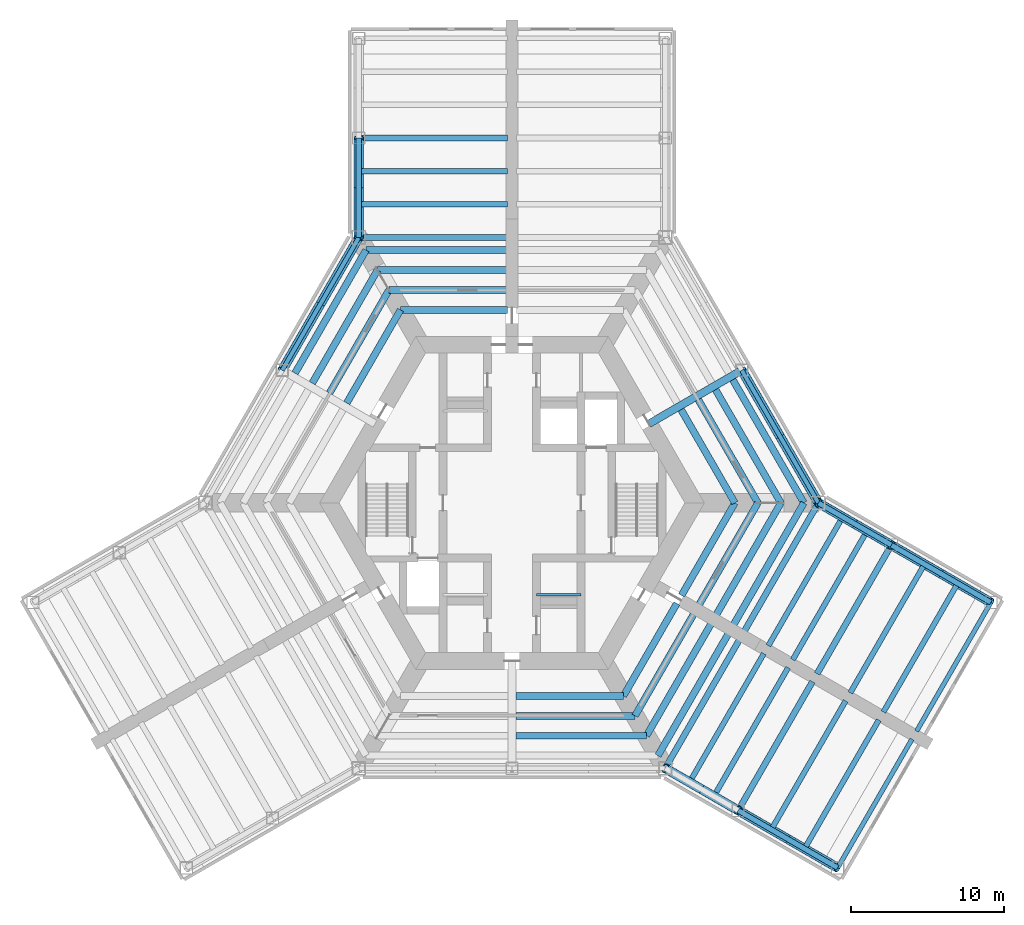
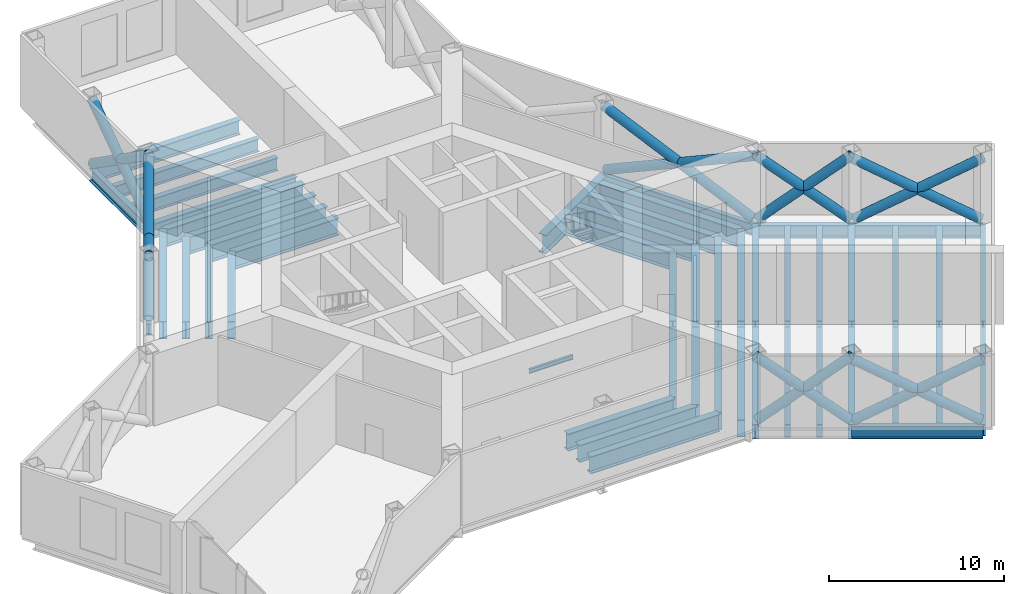
# One storey, part 2 of 8: 49 beams, 14 members.
"""IFC4 building model written with IfcOpenShell, lengths in metres."""

from ifc_helpers import new_model, si_unit, direction, frame, origin, origin_2d, place, context, subcontext, project, spatial, hollow_circle, i_section, extrude, material, material_profile, profile_set, type_object, element, save


model = new_model("IFC4")

# Units and contexts
model_context = context("Model", 3, precision=1e-05, world=origin(), true_north=direction((0.0, 1.0)))
body_context = subcontext(model_context, "Body", "Model", "MODEL_VIEW")
ifc_project = project(units=[si_unit("LENGTHUNIT", "METRE"), si_unit("AREAUNIT", "SQUARE_METRE"), si_unit("VOLUMEUNIT", "CUBIC_METRE"), si_unit("PLANEANGLEUNIT", "RADIAN"), si_unit("MASSUNIT", "GRAM", prefix="KILO")], contexts=[model_context])

# Site, building, storey
site_placement = place(None, origin())
site = spatial("IfcSite", under=ifc_project, at=site_placement, CompositionType="ELEMENT")
building_placement = place(site_placement, origin())
building = spatial("IfcBuilding", under=site, at=building_placement, Name="Kasaneha Research Tower", CompositionType="ELEMENT")
storey_placement = place(building_placement, frame((0.0, 0.0, 123.60009765625)))
storey = spatial("IfcBuildingStorey", under=building, at=storey_placement, Name="L31", CompositionType="ELEMENT", Elevation=123.60009765625)

# Beams
ifc_material_1 = material(Name="Steel SN490B", Category="steel")
ifc_material_profile_1 = material_profile(ifc_material_1, i_section(OverallWidth=0.449951171875, OverallDepth=1.199951171875, WebThickness=0.02197265625, FlangeThickness=0.0400390625, at=origin_2d()), Name="BH-1200x450x22x40")
ifc_profile_set_1 = profile_set([ifc_material_profile_1], Name="Steel SN490B")
beam_type_1 = type_object("IfcBeamType", Name="B1-5 secondary beam BH-1200x450x22x40", PredefinedType="JOIST", material=ifc_profile_set_1)
beam_1_placement = place(storey_placement, frame((14.54931640625, 0.0, -0.85009765625), z_axis=(-0.500015274395, 0.866016584929, 0.0), x_axis=(-0.866016584929, -0.500015274395, 0.0)))
element("IfcBeam", 1, at=beam_1_placement, inside=storey, type_object=beam_type_1, Name="Secondary beam RS030L1 L31", PredefinedType="JOIST", context=body_context, shape_type="SweptSolid", body=[
    extrude(i_section(OverallWidth=0.449951171875, OverallDepth=1.199951171875, WebThickness=0.02197265625, FlangeThickness=0.0400390625, at=origin_2d()), origin(), (0.0, 0.0, 1.0), 7.024658203125),
])
beam_2_placement = place(storey_placement, frame((16.05029296875, 0.0, -0.85009765625), z_axis=(-0.499992453835, 0.866029760521, 0.0), x_axis=(-0.866029760521, -0.499992453835, 0.0)))
element("IfcBeam", 2, at=beam_2_placement, inside=storey, type_object=beam_type_1, Name="Secondary beam RS030L2 L31", PredefinedType="JOIST", context=body_context, shape_type="SweptSolid", body=[
    extrude(i_section(OverallWidth=0.449951171875, OverallDepth=1.199951171875, WebThickness=0.02197265625, FlangeThickness=0.0400390625, at=origin_2d()), origin(), (0.0, 0.0, 1.0), 7.77490234375),
])
beam_3_placement = place(storey_placement, frame((17.551513671875, 0.0, -0.85009765625), z_axis=(-0.500004205306, 0.866022975836, 0.0), x_axis=(-0.866022975836, -0.500004205306, 0.0)))
element("IfcBeam", 3, at=beam_3_placement, inside=storey, type_object=beam_type_1, Name="Secondary beam RS030L3 L31", PredefinedType="JOIST", context=body_context, shape_type="SweptSolid", body=[
    extrude(i_section(OverallWidth=0.449951171875, OverallDepth=1.199951171875, WebThickness=0.02197265625, FlangeThickness=0.0400390625, at=origin_2d()), origin(), (0.0, 0.0, 1.0), 8.52587890625),
])
beam_4_placement = place(storey_placement, frame((19.052490234375, 0.0, -0.85009765625), z_axis=(-0.500005712346, 0.866022105735, 0.0), x_axis=(-0.866022105735, -0.500005712346, 0.0)))
element("IfcBeam", 4, at=beam_4_placement, inside=storey, type_object=beam_type_1, Name="Secondary beam RS030L4 L31", PredefinedType="JOIST", context=body_context, shape_type="SweptSolid", body=[
    extrude(i_section(OverallWidth=0.449951171875, OverallDepth=1.199951171875, WebThickness=0.02197265625, FlangeThickness=0.0400390625, at=origin_2d()), origin(), (0.0, 0.0, 1.0), 9.2763671875),
])
beam_5_placement = place(storey_placement, frame((-7.274658203125, 12.60009765625, -0.85009765625), z_axis=(1.0, 0.0, 0.0), x_axis=(0.0, 1.0, 0.0)))
element("IfcBeam", 5, at=beam_5_placement, inside=storey, type_object=beam_type_1, Name="Secondary beam RS090R1 L31", PredefinedType="JOIST", context=body_context, shape_type="SweptSolid", body=[
    extrude(i_section(OverallWidth=0.449951171875, OverallDepth=1.199951171875, WebThickness=0.02197265625, FlangeThickness=0.0400390625, at=origin_2d()), origin(), (0.0, 0.0, 1.0), 6.974609375),
])
beam_6_placement = place(storey_placement, frame((-8.025146484375, 13.89990234375, -0.85009765625), z_axis=(1.0, 0.0, 0.0), x_axis=(0.0, 1.0, 0.0)))
element("IfcBeam", 6, at=beam_6_placement, inside=storey, type_object=beam_type_1, Name="Secondary beam RS090R2 L31", PredefinedType="JOIST", context=body_context, shape_type="SweptSolid", body=[
    extrude(i_section(OverallWidth=0.449951171875, OverallDepth=1.199951171875, WebThickness=0.02197265625, FlangeThickness=0.0400390625, at=origin_2d()), origin(), (0.0, 0.0, 1.0), 7.72509765625),
])
beam_7_placement = place(storey_placement, frame((-8.775634765625, 15.199951171875, -0.85009765625), z_axis=(1.0, 0.0, 0.0), x_axis=(0.0, 1.0, 0.0)))
element("IfcBeam", 7, at=beam_7_placement, inside=storey, type_object=beam_type_1, Name="Secondary beam RS090R3 L31", PredefinedType="JOIST", context=body_context, shape_type="SweptSolid", body=[
    extrude(i_section(OverallWidth=0.449951171875, OverallDepth=1.199951171875, WebThickness=0.02197265625, FlangeThickness=0.0400390625, at=origin_2d()), origin(), (0.0, 0.0, 1.0), 8.4755859375),
])
beam_8_placement = place(storey_placement, frame((-9.5263671875, 16.5, -0.85009765625), z_axis=(1.0, 0.0, 0.0), x_axis=(0.0, 1.0, 0.0)))
element("IfcBeam", 8, at=beam_8_placement, inside=storey, type_object=beam_type_1, Name="Secondary beam RS090R4 L31", PredefinedType="JOIST", context=body_context, shape_type="SweptSolid", body=[
    extrude(i_section(OverallWidth=0.449951171875, OverallDepth=1.199951171875, WebThickness=0.02197265625, FlangeThickness=0.0400390625, at=origin_2d()), origin(), (0.0, 0.0, 1.0), 9.226318359375),
])
beam_9_placement = place(storey_placement, frame((-7.274658203125, 12.60009765625, -0.85009765625), z_axis=(-0.499989208252, -0.866031634313, 0.0), x_axis=(0.866031634313, -0.499989208252, 0.0)))
element("IfcBeam", 9, at=beam_9_placement, inside=storey, type_object=beam_type_1, Name="Secondary beam RS150L1 L31", PredefinedType="JOIST", context=body_context, shape_type="SweptSolid", body=[
    extrude(i_section(OverallWidth=0.449951171875, OverallDepth=1.199951171875, WebThickness=0.02197265625, FlangeThickness=0.0400390625, at=origin_2d()), origin(), (0.0, 0.0, 1.0), 7.024658203125),
])
beam_10_placement = place(storey_placement, frame((-8.025146484375, 13.89990234375, -0.85009765625), z_axis=(-0.500016004, -0.866016163673, 0.0), x_axis=(0.866016163673, -0.500016004, 0.0)))
element("IfcBeam", 10, at=beam_10_placement, inside=storey, type_object=beam_type_1, Name="Secondary beam RS150L2 L31", PredefinedType="JOIST", context=body_context, shape_type="SweptSolid", body=[
    extrude(i_section(OverallWidth=0.449951171875, OverallDepth=1.199951171875, WebThickness=0.02197265625, FlangeThickness=0.0400390625, at=origin_2d()), origin(), (0.0, 0.0, 1.0), 7.775146484375),
])
beam_11_placement = place(storey_placement, frame((-8.775634765625, 15.199951171875, -0.85009765625), z_axis=(-0.500004205306, -0.866022975836, 0.0), x_axis=(0.866022975836, -0.500004205306, 0.0)))
element("IfcBeam", 11, at=beam_11_placement, inside=storey, type_object=beam_type_1, Name="Secondary beam RS150L3 L31", PredefinedType="JOIST", context=body_context, shape_type="SweptSolid", body=[
    extrude(i_section(OverallWidth=0.449951171875, OverallDepth=1.199951171875, WebThickness=0.02197265625, FlangeThickness=0.0400390625, at=origin_2d()), origin(), (0.0, 0.0, 1.0), 8.52587890625),
])
beam_12_placement = place(storey_placement, frame((-9.5263671875, 16.5, -0.85009765625), z_axis=(-0.499985972961, -0.866033502147, 0.0), x_axis=(0.866033502147, -0.499985972961, 0.0)))
element("IfcBeam", 12, at=beam_12_placement, inside=storey, type_object=beam_type_1, Name="Secondary beam RS150L4 L31", PredefinedType="JOIST", context=body_context, shape_type="SweptSolid", body=[
    extrude(i_section(OverallWidth=0.449951171875, OverallDepth=1.199951171875, WebThickness=0.02197265625, FlangeThickness=0.0400390625, at=origin_2d()), origin(), (0.0, 0.0, 1.0), 9.276123046875),
])
beam_13_placement = place(storey_placement, frame((7.274658203125, -12.60009765625, -0.85009765625), z_axis=(-1.0, 0.0, 0.0), x_axis=(0.0, -1.0, 0.0)))
element("IfcBeam", 13, at=beam_13_placement, inside=storey, type_object=beam_type_1, Name="Secondary beam RS270R1 L31", PredefinedType="JOIST", context=body_context, shape_type="SweptSolid", body=[
    extrude(i_section(OverallWidth=0.449951171875, OverallDepth=1.199951171875, WebThickness=0.02197265625, FlangeThickness=0.0400390625, at=origin_2d()), origin(), (0.0, 0.0, 1.0), 7.024658203125),
])
beam_14_placement = place(storey_placement, frame((8.025146484375, -13.89990234375, -0.85009765625), z_axis=(-1.0, 0.0, 0.0), x_axis=(0.0, -1.0, 0.0)))
element("IfcBeam", 14, at=beam_14_placement, inside=storey, type_object=beam_type_1, Name="Secondary beam RS270R2 L31", PredefinedType="JOIST", context=body_context, shape_type="SweptSolid", body=[
    extrude(i_section(OverallWidth=0.449951171875, OverallDepth=1.199951171875, WebThickness=0.02197265625, FlangeThickness=0.0400390625, at=origin_2d()), origin(), (0.0, 0.0, 1.0), 7.775146484375),
])
beam_15_placement = place(storey_placement, frame((8.775634765625, -15.199951171875, -0.85009765625), z_axis=(-1.0, 0.0, 0.0), x_axis=(0.0, -1.0, 0.0)))
element("IfcBeam", 15, at=beam_15_placement, inside=storey, type_object=beam_type_1, Name="Secondary beam RS270R3 L31", PredefinedType="JOIST", context=body_context, shape_type="SweptSolid", body=[
    extrude(i_section(OverallWidth=0.449951171875, OverallDepth=1.199951171875, WebThickness=0.02197265625, FlangeThickness=0.0400390625, at=origin_2d()), origin(), (0.0, 0.0, 1.0), 8.525634765625),
])
beam_16_placement = place(storey_placement, frame((7.274658203125, -12.60009765625, -0.85009765625), z_axis=(0.499994145342, 0.866028783947, 0.0), x_axis=(-0.866028783947, 0.499994145342, 0.0)))
element("IfcBeam", 16, at=beam_16_placement, inside=storey, type_object=beam_type_1, Name="Secondary beam RS330L1 L31", PredefinedType="JOIST", context=body_context, shape_type="SweptSolid", body=[
    extrude(i_section(OverallWidth=0.449951171875, OverallDepth=1.199951171875, WebThickness=0.02197265625, FlangeThickness=0.0400390625, at=origin_2d()), origin(), (0.0, 0.0, 1.0), 6.974609375),
])
beam_17_placement = place(storey_placement, frame((8.025146484375, -13.89990234375, -0.85009765625), z_axis=(0.499996932259, 0.866027174938, 0.0), x_axis=(-0.866027174938, 0.499996932259, 0.0)))
element("IfcBeam", 17, at=beam_17_placement, inside=storey, type_object=beam_type_1, Name="Secondary beam RS330L2 L31", PredefinedType="JOIST", context=body_context, shape_type="SweptSolid", body=[
    extrude(i_section(OverallWidth=0.449951171875, OverallDepth=1.199951171875, WebThickness=0.02197265625, FlangeThickness=0.0400390625, at=origin_2d()), origin(), (0.0, 0.0, 1.0), 7.72509765625),
])
beam_18_placement = place(storey_placement, frame((8.775634765625, -15.199951171875, -0.85009765625), z_axis=(0.500020829043, 0.866013377797, 0.0), x_axis=(-0.866013377797, 0.500020829043, 0.0)))
element("IfcBeam", 18, at=beam_18_placement, inside=storey, type_object=beam_type_1, Name="Secondary beam RS330L3 L31", PredefinedType="JOIST", context=body_context, shape_type="SweptSolid", body=[
    extrude(i_section(OverallWidth=0.449951171875, OverallDepth=1.199951171875, WebThickness=0.02197265625, FlangeThickness=0.0400390625, at=origin_2d()), origin(), (0.0, 0.0, 1.0), 8.475830078125),
])
beam_19_placement = place(storey_placement, frame((9.5263671875, -16.5, -0.85009765625), z_axis=(0.499989687726, 0.866031357497, 0.0), x_axis=(-0.866031357497, 0.499989687726, 0.0)))
element("IfcBeam", 19, at=beam_19_placement, inside=storey, type_object=beam_type_1, Name="Secondary beam RS330L4 L31", PredefinedType="JOIST", context=body_context, shape_type="SweptSolid", body=[
    extrude(i_section(OverallWidth=0.449951171875, OverallDepth=1.199951171875, WebThickness=0.02197265625, FlangeThickness=0.0400390625, at=origin_2d()), origin(), (0.0, 0.0, 1.0), 9.226318359375),
])
beam_20_placement = place(storey_placement, frame((14.54931640625, 0.0, -0.85009765625), z_axis=(-0.499994145342, -0.866028783947, 0.0), x_axis=(0.866028783947, -0.499994145342, 0.0)))
element("IfcBeam", 20, at=beam_20_placement, inside=storey, type_object=beam_type_1, Name="Secondary beam RS330R1 L31", PredefinedType="JOIST", context=body_context, shape_type="SweptSolid", body=[
    extrude(i_section(OverallWidth=0.449951171875, OverallDepth=1.199951171875, WebThickness=0.02197265625, FlangeThickness=0.0400390625, at=origin_2d()), origin(), (0.0, 0.0, 1.0), 6.974609375),
])
beam_21_placement = place(storey_placement, frame((16.05029296875, 0.0, -0.85009765625), z_axis=(-0.499996932259, -0.866027174938, 0.0), x_axis=(0.866027174938, -0.499996932259, 0.0)))
element("IfcBeam", 21, at=beam_21_placement, inside=storey, type_object=beam_type_1, Name="Secondary beam RS330R2 L31", PredefinedType="JOIST", context=body_context, shape_type="SweptSolid", body=[
    extrude(i_section(OverallWidth=0.449951171875, OverallDepth=1.199951171875, WebThickness=0.02197265625, FlangeThickness=0.0400390625, at=origin_2d()), origin(), (0.0, 0.0, 1.0), 7.72509765625),
])
beam_22_placement = place(storey_placement, frame((17.551513671875, 0.0, -0.85009765625), z_axis=(-0.500020829043, -0.866013377797, 0.0), x_axis=(0.866013377797, -0.500020829043, 0.0)))
element("IfcBeam", 22, at=beam_22_placement, inside=storey, type_object=beam_type_1, Name="Secondary beam RS330R3 L31", PredefinedType="JOIST", context=body_context, shape_type="SweptSolid", body=[
    extrude(i_section(OverallWidth=0.449951171875, OverallDepth=1.199951171875, WebThickness=0.02197265625, FlangeThickness=0.0400390625, at=origin_2d()), origin(), (0.0, 0.0, 1.0), 8.475830078125),
])
beam_23_placement = place(storey_placement, frame((19.052490234375, 0.0, -0.85009765625), z_axis=(-0.499989687726, -0.866031357497, 0.0), x_axis=(0.866031357497, -0.499989687726, 0.0)))
element("IfcBeam", 23, at=beam_23_placement, inside=storey, type_object=beam_type_1, Name="Secondary beam RS330R4 L31", PredefinedType="JOIST", context=body_context, shape_type="SweptSolid", body=[
    extrude(i_section(OverallWidth=0.449951171875, OverallDepth=1.199951171875, WebThickness=0.02197265625, FlangeThickness=0.0400390625, at=origin_2d()), origin(), (0.0, 0.0, 1.0), 9.226318359375),
])
ifc_material_2 = material(Name="Steel SN490B", Category="steel")
ifc_material_profile_2 = material_profile(ifc_material_2, i_section(OverallWidth=0.35009765625, OverallDepth=0.89990234375, WebThickness=0.01611328125, FlangeThickness=0.031982421875, at=origin_2d()), Name="BH-900x350x16x32")
ifc_profile_set_2 = profile_set([ifc_material_profile_2], Name="Steel SN490B")
beam_type_2 = type_object("IfcBeamType", Name="B2-5 secondary beam BH-900x350x16x32", PredefinedType="JOIST", material=ifc_profile_set_2)
for number, where, z_axis, x_axis, name in (
    (24, (-10.0, 19.487060546875, -0.7001953125), (1.0, 0.0, 0.0), (0.0, 1.0, 0.0), "Secondary beam WBAN1 L31"),
    (25, (-10.0, 21.65380859375, -0.7001953125), (1.0, 0.0, 0.0), (0.0, 1.0, 0.0), "Secondary beam WBAN2 L31"),
    (26, (11.587646484375, -18.237060546875, -0.7001953125), (0.500010041276, 0.866019606374, 0.0), (-0.866019606374, 0.500010041276, 0.0), "Secondary beam WBCP1 L31"),
    (27, (13.175537109375, -19.15380859375, -0.7001953125), (0.499991164321, 0.866030505006, 0.0), (-0.866030505006, 0.499991164321, 0.0), "Secondary beam WBCP2 L31"),
    (28, (16.92822265625, -21.320556640625, -0.7001953125), (0.500010041276, 0.866019606374, 0.0), (-0.866019606374, 0.500010041276, 0.0), "Secondary beam WBCP3 L31"),
    (29, (19.09326171875, -22.570556640625, -0.7001953125), (0.500010041276, 0.866019606374, 0.0), (-0.866019606374, 0.500010041276, 0.0), "Secondary beam WBCP4 L31"),
    (30, (21.587646484375, -0.916748046875, -0.7001953125), (-0.499991164321, -0.866030505006, 0.0), (0.866030505006, -0.499991164321, 0.0), "Secondary beam WBCN1 L31"),
):
    element("IfcBeam", number, at=place(storey_placement, frame(where, z_axis=z_axis, x_axis=x_axis)), inside=storey, type_object=beam_type_2, Name=name, PredefinedType="JOIST", context=body_context, shape_type="SweptSolid", body=[
        extrude(i_section(OverallWidth=0.35009765625, OverallDepth=0.89990234375, WebThickness=0.01611328125, FlangeThickness=0.031982421875, at=origin_2d()), origin(), (0.0, 0.0, 1.0), 9.699951171875),
    ])
beam_24_placement = place(storey_placement, frame((23.175537109375, -1.833251953125, -0.7001953125), z_axis=(-0.499999142773, -0.866025898704, 0.0), x_axis=(0.866025898704, -0.499999142773, 0.0)))
element("IfcBeam", 31, at=beam_24_placement, inside=storey, type_object=beam_type_2, Name="Secondary beam WBCN2 L31", PredefinedType="JOIST", context=body_context, shape_type="SweptSolid", body=[
    extrude(i_section(OverallWidth=0.35009765625, OverallDepth=0.89990234375, WebThickness=0.01611328125, FlangeThickness=0.031982421875, at=origin_2d()), origin(), (0.0, 0.0, 1.0), 9.7001953125),
])
for number, where, z_axis, x_axis, name in (
    (32, (26.92822265625, -4.0, -0.7001953125), (-0.500010041276, -0.866019606374, 0.0), (0.866019606374, -0.500010041276, 0.0), "Secondary beam WBCN3 L31"),
    (33, (29.09326171875, -5.25, -0.7001953125), (-0.500010041276, -0.866019606374, 0.0), (0.866019606374, -0.500010041276, 0.0), "Secondary beam WBCN4 L31"),
):
    element("IfcBeam", number, at=place(storey_placement, frame(where, z_axis=z_axis, x_axis=x_axis)), inside=storey, type_object=beam_type_2, Name=name, PredefinedType="JOIST", context=body_context, shape_type="SweptSolid", body=[
        extrude(i_section(OverallWidth=0.35009765625, OverallDepth=0.89990234375, WebThickness=0.01611328125, FlangeThickness=0.031982421875, at=origin_2d()), origin(), (0.0, 0.0, 1.0), 9.699951171875),
    ])
ifc_material_3 = material(Name="Steel SN490B", Category="steel")
ifc_material_profile_3 = material_profile(ifc_material_3, i_section(OverallWidth=0.35009765625, OverallDepth=0.89990234375, WebThickness=0.01611328125, FlangeThickness=0.031982421875, at=origin_2d()), Name="BH-900x350x16x32")
ifc_profile_set_3 = profile_set([ifc_material_profile_3], Name="Steel SN490B")
beam_type_3 = type_object("IfcBeamType", Name="BC1-5 belt chord BH-900x350x16x32", PredefinedType="BEAM", material=ifc_profile_set_3)
beam_25_placement = place(storey_placement, frame((-10.0, 17.320556640625, -0.7001953125), z_axis=(0.0, 1.0, 0.0), x_axis=(-1.0, 0.0, 0.0)))
element("IfcBeam", 34, at=beam_25_placement, inside=storey, type_object=beam_type_3, Name="Belt chord WSAN1 L31", PredefinedType="BEAM", context=body_context, shape_type="SweptSolid", body=[
    extrude(i_section(OverallWidth=0.35009765625, OverallDepth=0.89990234375, WebThickness=0.01611328125, FlangeThickness=0.031982421875, at=origin_2d()), origin(), (0.0, 0.0, 1.0), 6.5),
])
beam_26_placement = place(storey_placement, frame((20.0, 0.0, -0.7001953125), z_axis=(0.866027397988, -0.499996545922, 0.0), x_axis=(0.499996545922, 0.866027397988, 0.0)))
element("IfcBeam", 35, at=beam_26_placement, inside=storey, type_object=beam_type_3, Name="Belt chord WSCN1 L31", PredefinedType="BEAM", context=body_context, shape_type="SweptSolid", body=[
    extrude(i_section(OverallWidth=0.35009765625, OverallDepth=0.89990234375, WebThickness=0.01611328125, FlangeThickness=0.031982421875, at=origin_2d()), origin(), (0.0, 0.0, 1.0), 5.5),
])

# Members
ifc_material_4 = material(Name="Steel STKN490B", Category="steel")
ifc_material_profile_4 = material_profile(ifc_material_4, hollow_circle(Radius=0.3046875, WallThickness=0.031982421875, at=origin_2d()), Name="CHS-609.6x32.0")
ifc_profile_set_4 = profile_set([ifc_material_profile_4], Name="Steel STKN490B")
member_type = type_object("IfcMemberType", Name="BT2 belt truss diagonal CHS-609.6x32.0", PredefinedType="BRACE", material=ifc_profile_set_4)
for number, where, z_axis, x_axis, name in (
    (36, (-14.932861328125, 8.7763671875, 0.06689453125), (0.456031422098, 0.789890209313, 0.410010730702), (-0.866031054652, 0.499990212282, 0.0), "Belt truss diagonal 4a L31"),
    (37, (-10.067138671875, 17.204345703125, 0.06689453125), (-0.456031422098, -0.789890209313, 0.410010730702), (0.866031054652, -0.499990212282, 0.0), "Belt truss diagonal 4b L31"),
):
    element("IfcMember", number, at=place(storey_placement, frame(where, z_axis=z_axis, x_axis=x_axis)), inside=storey, type_object=member_type, Name=name, PredefinedType="BRACE", context=body_context, shape_type="SweptSolid", body=[
        extrude(hollow_circle(Radius=0.3046875, WallThickness=0.031982421875, at=origin_2d()), origin(), (0.0, 0.0, 1.0), 10.81689453125),
    ])
for number, where, z_axis, x_axis, name in (
    (38, (-10.0, 17.439453125, 0.09130859375), (0.0, 0.81973110016, 0.572748569121), (-1.0, 0.0, 0.0), "Belt truss diagonal 5a L31"),
    (39, (-10.0, 23.70166015625, 0.09130859375), (0.0, -0.81973110016, 0.572748569121), (1.0, 0.0, 0.0), "Belt truss diagonal 5b L31"),
):
    element("IfcMember", number, at=place(storey_placement, frame(where, z_axis=z_axis, x_axis=x_axis)), inside=storey, type_object=member_type, Name=name, PredefinedType="BRACE", context=body_context, shape_type="SweptSolid", body=[
        extrude(hollow_circle(Radius=0.3046875, WallThickness=0.031982421875, at=origin_2d()), origin(), (0.0, 0.0, 1.0), 7.784423828125),
    ])
for number, where, z_axis, x_axis, name in (
    (40, (15.067138671875, 8.5439453125, 0.06689453125), (0.456039552328, -0.789881721023, 0.410018040465), (0.866024868229, 0.500000927608, 0.0), "Belt truss diagonal 10a L31"),
    (41, (19.932861328125, 0.1162109375, 0.06689453125), (-0.456039552328, 0.789881721023, 0.410018040465), (-0.866024868229, -0.500000927608, 0.0), "Belt truss diagonal 10b L31"),
):
    element("IfcMember", number, at=place(storey_placement, frame(where, z_axis=z_axis, x_axis=x_axis)), inside=storey, type_object=member_type, Name=name, PredefinedType="BRACE", context=body_context, shape_type="SweptSolid", body=[
        extrude(hollow_circle(Radius=0.3046875, WallThickness=0.031982421875, at=origin_2d()), origin(), (0.0, 0.0, 1.0), 10.816650390625),
    ])
for number, where, z_axis, x_axis, name in (
    (42, (20.09619140625, -0.055419921875, 0.100830078125), (0.667838861562, -0.385589951614, 0.636640906792), (0.500012648207, 0.866018101216, 0.0), "Belt truss diagonal 11a L31"),
    (43, (24.6669921875, -2.694580078125, 0.100830078125), (-0.667838861562, 0.385589951614, 0.636640906792), (-0.500012648207, -0.866018101216, 0.0), "Belt truss diagonal 11b L31"),
):
    element("IfcMember", number, at=place(storey_placement, frame(where, z_axis=z_axis, x_axis=x_axis)), inside=storey, type_object=member_type, Name=name, PredefinedType="BRACE", context=body_context, shape_type="SweptSolid", body=[
        extrude(hollow_circle(Radius=0.3046875, WallThickness=0.031982421875, at=origin_2d()), origin(), (0.0, 0.0, 1.0), 6.98828125),
    ])
for number, where, z_axis, x_axis, name in (
    (44, (24.871337890625, -2.8125, 0.0830078125), (0.749609849983, -0.432785718212, 0.500780984983), (0.499998500593, 0.866026269466, 0.0), "Belt truss diagonal 12a L31"),
    (45, (31.150146484375, -6.4375, 0.0830078125), (-0.749609849983, 0.432785718212, 0.500780984983), (-0.499998500593, -0.866026269466, 0.0), "Belt truss diagonal 12b L31"),
    (46, (21.150146484375, -23.758056640625, 0.0830078125), (-0.749609849983, 0.432785718212, 0.500780984983), (-0.499998500593, -0.866026269466, 0.0), "Belt truss diagonal 13a L31"),
):
    element("IfcMember", number, at=place(storey_placement, frame(where, z_axis=z_axis, x_axis=x_axis)), inside=storey, type_object=member_type, Name=name, PredefinedType="BRACE", context=body_context, shape_type="SweptSolid", body=[
        extrude(hollow_circle(Radius=0.3046875, WallThickness=0.031982421875, at=origin_2d()), origin(), (0.0, 0.0, 1.0), 8.520263671875),
    ])
member_1_placement = place(storey_placement, frame((14.871337890625, -20.1328125, 0.0830078125), z_axis=(0.749600553997, -0.432809004554, 0.500774774749), x_axis=(0.500023327812, 0.866011935047, 0.0)))
element("IfcMember", 47, at=member_1_placement, inside=storey, type_object=member_type, Name="Belt truss diagonal 13b L31", PredefinedType="BRACE", context=body_context, shape_type="SweptSolid", body=[
    extrude(hollow_circle(Radius=0.3046875, WallThickness=0.031982421875, at=origin_2d()), origin(), (0.0, 0.0, 1.0), 8.5205078125),
])
member_2_placement = place(storey_placement, frame((14.6669921875, -20.014892578125, 0.100830078125), z_axis=(-0.667847857805, 0.385560209182, 0.636649482777), x_axis=(-0.499978670142, -0.866037718234, 0.0)))
element("IfcMember", 48, at=member_2_placement, inside=storey, type_object=member_type, Name="Belt truss diagonal 14a L31", PredefinedType="BRACE", context=body_context, shape_type="SweptSolid", body=[
    extrude(hollow_circle(Radius=0.3046875, WallThickness=0.031982421875, at=origin_2d()), origin(), (0.0, 0.0, 1.0), 6.988037109375),
])
member_3_placement = place(storey_placement, frame((10.09619140625, -17.3759765625, 0.100830078125), z_axis=(0.667838861562, -0.385589951614, 0.636640906792), x_axis=(0.500012648207, 0.866018101216, 0.0)))
element("IfcMember", 49, at=member_3_placement, inside=storey, type_object=member_type, Name="Belt truss diagonal 14b L31", PredefinedType="BRACE", context=body_context, shape_type="SweptSolid", body=[
    extrude(hollow_circle(Radius=0.3046875, WallThickness=0.031982421875, at=origin_2d()), origin(), (0.0, 0.0, 1.0), 6.98828125),
])

# Beams
ifc_material_5 = material(Name="Steel SN490B", Category="steel")
ifc_material_profile_5 = material_profile(ifc_material_5, i_section(OverallWidth=0.5, OverallDepth=1.300048828125, WebThickness=0.02197265625, FlangeThickness=0.044921875, at=origin_2d()), Name="BH-1300x500x22x45")
ifc_profile_set_5 = profile_set([ifc_material_profile_5], Name="Steel SN490B")
beam_type_4 = type_object("IfcBeamType", Name="G2-5 radial girder BH-1300x500x22x45", PredefinedType="BEAM", material=ifc_profile_set_5)
beam_27_placement = place(storey_placement, frame((8.941650390625, 5.16259765625, -0.900146484375), z_axis=(0.866039713508, 0.499975214012, 0.0), x_axis=(-0.499975214012, 0.866039713508, 0.0)))
element("IfcBeam", 50, at=beam_27_placement, inside=storey, type_object=beam_type_4, Name="Radial girder RM030 L31", PredefinedType="BEAM", context=body_context, shape_type="SweptSolid", body=[
    extrude(i_section(OverallWidth=0.5, OverallDepth=1.300048828125, WebThickness=0.02197265625, FlangeThickness=0.044921875, at=origin_2d()), origin(), (0.0, 0.0, 1.0), 6.995361328125),
])
ifc_material_6 = material(Name="Steel SN490B", Category="steel")
ifc_material_profile_6 = material_profile(ifc_material_6, i_section(OverallWidth=0.39990234375, OverallDepth=1.0, WebThickness=0.01904296875, FlangeThickness=0.035888671875, at=origin_2d()), Name="BH-1000x400x19x36")
ifc_profile_set_6 = profile_set([ifc_material_profile_6], Name="Steel SN490B")
beam_type_5 = type_object("IfcBeamType", Name="G3-5 plate edge girder BH-1000x400x19x36", PredefinedType="BEAM", material=ifc_profile_set_6)
for number, where, z_axis, x_axis, name in (
    (51, (-10.0, 17.320556640625, -0.75), (1.0, 0.0, 0.0), (0.0, 1.0, 0.0), "Plate edge girder PEAN L31"),
    (52, (10.0, -17.320556640625, -0.75), (0.500010041276, 0.866019606374, 0.0), (-0.866019606374, 0.500010041276, 0.0), "Plate edge girder PECP L31"),
    (53, (20.0, 0.0, -0.75), (-0.500010041276, -0.866019606374, 0.0), (0.866019606374, -0.500010041276, 0.0), "Plate edge girder PECN L31"),
):
    element("IfcBeam", number, at=place(storey_placement, frame(where, z_axis=z_axis, x_axis=x_axis)), inside=storey, type_object=beam_type_5, Name=name, PredefinedType="BEAM", context=body_context, shape_type="SweptSolid", body=[
        extrude(i_section(OverallWidth=0.39990234375, OverallDepth=1.0, WebThickness=0.01904296875, FlangeThickness=0.035888671875, at=origin_2d()), origin(), (0.0, 0.0, 1.0), 9.699951171875),
    ])
ifc_material_7 = material(Name="Steel SN490B", Category="steel")
ifc_material_profile_7 = material_profile(ifc_material_7, i_section(OverallWidth=0.39990234375, OverallDepth=1.0, WebThickness=0.01904296875, FlangeThickness=0.035888671875, at=origin_2d()), Name="BH-1000x400x19x36")
ifc_profile_set_7 = profile_set([ifc_material_profile_7], Name="Steel SN490B")
beam_type_6 = type_object("IfcBeamType", Name="G4-5 wing girder BH-1000x400x19x36", PredefinedType="BEAM", material=ifc_profile_set_7)
for number, where, z_axis, x_axis, name in (
    (54, (-10.0, 23.820556640625, -0.75), (1.0, 0.0, 0.0), (0.0, 1.0, 0.0), "Wing girder WGAN L31"),
    (55, (14.76318359375, -20.070556640625, -0.75), (0.499991164321, 0.866030505006, 0.0), (-0.866030505006, 0.499991164321, 0.0), "Wing girder WGCP L31"),
    (56, (24.76318359375, -2.75, -0.75), (-0.500010041276, -0.866019606374, 0.0), (0.866019606374, -0.500010041276, 0.0), "Wing girder WGCN L31"),
):
    element("IfcBeam", number, at=place(storey_placement, frame(where, z_axis=z_axis, x_axis=x_axis)), inside=storey, type_object=beam_type_6, Name=name, PredefinedType="BEAM", context=body_context, shape_type="SweptSolid", body=[
        extrude(i_section(OverallWidth=0.39990234375, OverallDepth=1.0, WebThickness=0.01904296875, FlangeThickness=0.035888671875, at=origin_2d()), origin(), (0.0, 0.0, 1.0), 9.699951171875),
    ])
ifc_material_8 = material(Name="Steel SN490B", Category="steel")
ifc_material_profile_8 = material_profile(ifc_material_8, i_section(OverallWidth=0.14990234375, OverallDepth=0.300048828125, WebThickness=0.006591796875, FlangeThickness=0.009033203125, FilletRadius=0.012939453125, at=origin_2d()), Name="H-300x150x6.5x9")
ifc_profile_set_8 = profile_set([ifc_material_profile_8], Name="Steel SN490B")
beam_type_7 = type_object("IfcBeamType", Name="HB1 lift hoist beam H-300x150x6.5x9", PredefinedType="BEAM", material=ifc_profile_set_8)
beam_28_placement = place(storey_placement, frame((1.60009765625, -6.0, -0.4501953125), z_axis=(1.0, 0.0, 0.0), x_axis=(0.0, 1.0, 0.0)))
element("IfcBeam", 57, at=beam_28_placement, inside=storey, type_object=beam_type_7, Name="Lift hoist beam LO3", PredefinedType="BEAM", context=body_context, shape_type="SweptSolid", body=[
    extrude(i_section(OverallWidth=0.14990234375, OverallDepth=0.300048828125, WebThickness=0.006591796875, FlangeThickness=0.009033203125, FilletRadius=0.012939453125, at=origin_2d()), origin(), (0.0, 0.0, 1.0), 2.89990234375),
])
ifc_material_9 = material(Name="Steel SN490B", Category="steel")
ifc_material_profile_9 = material_profile(ifc_material_9, i_section(OverallWidth=0.300048828125, OverallDepth=0.800048828125, WebThickness=0.013916015625, FlangeThickness=0.02587890625, FilletRadius=0.01806640625, at=origin_2d()), Name="H-800x300x14x26")
ifc_profile_set_9 = profile_set([ifc_material_profile_9], Name="Steel SN490B")
beam_type_8 = type_object("IfcBeamType", Name="SB1-5 spandrel beam H-800x300x14x26", PredefinedType="SPANDREL", material=ifc_profile_set_9)
beam_29_placement = place(storey_placement, frame((20.0, 0.0, -0.650146484375), z_axis=(-0.500004234368, 0.866022959057, 0.0), x_axis=(-0.866022959057, -0.500004234368, 0.0)))
element("IfcBeam", 58, at=beam_29_placement, inside=storey, type_object=beam_type_8, Name="Spandrel beam SR030L L31", PredefinedType="SPANDREL", context=body_context, shape_type="SweptSolid", body=[
    extrude(i_section(OverallWidth=0.300048828125, OverallDepth=0.800048828125, WebThickness=0.013916015625, FlangeThickness=0.02587890625, FilletRadius=0.01806640625, at=origin_2d()), origin(), (0.0, 0.0, 1.0), 10.0),
])
beam_30_placement = place(storey_placement, frame((-10.0, 17.320556640625, -0.650146484375), z_axis=(-0.499993662806, -0.866029062534, 0.0), x_axis=(0.866029062534, -0.499993662806, 0.0)))
element("IfcBeam", 59, at=beam_30_placement, inside=storey, type_object=beam_type_8, Name="Spandrel beam SR150L L31", PredefinedType="SPANDREL", context=body_context, shape_type="SweptSolid", body=[
    extrude(i_section(OverallWidth=0.300048828125, OverallDepth=0.800048828125, WebThickness=0.013916015625, FlangeThickness=0.02587890625, FilletRadius=0.01806640625, at=origin_2d()), origin(), (0.0, 0.0, 1.0), 10.000244140625),
])
ifc_material_10 = material(Name="Steel SN490B", Category="steel")
ifc_material_profile_10 = material_profile(ifc_material_10, i_section(OverallWidth=0.35009765625, OverallDepth=0.89990234375, WebThickness=0.01611328125, FlangeThickness=0.031982421875, at=origin_2d()), Name="BH-900x350x16x32")
ifc_profile_set_10 = profile_set([ifc_material_profile_10], Name="Steel SN490B")
beam_type_9 = type_object("IfcBeamType", Name="SB2-5 spandrel beam BH-900x350x16x32", PredefinedType="SPANDREL", material=ifc_profile_set_10)
for number, where, z_axis, x_axis, name in (
    (60, (14.76318359375, -20.070556640625, -0.7001953125), (0.866022959057, -0.500004234368, 0.0), (0.500004234368, 0.866022959057, 0.0), "Spandrel beam WSCP2 L31"),
    (61, (24.76318359375, -2.75, -0.7001953125), (0.866022959057, -0.500004234368, 0.0), (0.500004234368, 0.866022959057, 0.0), "Spandrel beam WSCN2 L31"),
):
    element("IfcBeam", number, at=place(storey_placement, frame(where, z_axis=z_axis, x_axis=x_axis)), inside=storey, type_object=beam_type_9, Name=name, PredefinedType="SPANDREL", context=body_context, shape_type="SweptSolid", body=[
        extrude(i_section(OverallWidth=0.35009765625, OverallDepth=0.89990234375, WebThickness=0.01611328125, FlangeThickness=0.031982421875, at=origin_2d()), origin(), (0.0, 0.0, 1.0), 7.5),
    ])
ifc_material_11 = material(Name="Steel SN490B", Category="steel")
ifc_material_profile_11 = material_profile(ifc_material_11, i_section(OverallWidth=0.300048828125, OverallDepth=0.7919921875, WebThickness=0.013916015625, FlangeThickness=0.02197265625, FilletRadius=0.01806640625, at=origin_2d()), Name="H-792x300x14x22")
ifc_profile_set_11 = profile_set([ifc_material_profile_11], Name="Steel SN490B")
beam_type_10 = type_object("IfcBeamType", Name="SB3-5 spandrel beam H-792x300x14x22", PredefinedType="SPANDREL", material=ifc_profile_set_11)
for number, where, z_axis, x_axis, name in (
    (62, (21.25830078125, -23.820556640625, -0.64599609375), (0.500010041276, 0.866019606374, 0.0), (-0.866019606374, 0.500010041276, 0.0), "Spandrel beam WTCP L31"),
    (63, (31.25830078125, -6.5, -0.64599609375), (-0.499991164321, -0.866030505006, 0.0), (0.866030505006, -0.499991164321, 0.0), "Spandrel beam WTCN L31"),
):
    element("IfcBeam", number, at=place(storey_placement, frame(where, z_axis=z_axis, x_axis=x_axis)), inside=storey, type_object=beam_type_10, Name=name, PredefinedType="SPANDREL", context=body_context, shape_type="SweptSolid", body=[
        extrude(i_section(OverallWidth=0.300048828125, OverallDepth=0.7919921875, WebThickness=0.013916015625, FlangeThickness=0.02197265625, FilletRadius=0.01806640625, at=origin_2d()), origin(), (0.0, 0.0, 1.0), 9.699951171875),
    ])

save(model, "model.ifc")
